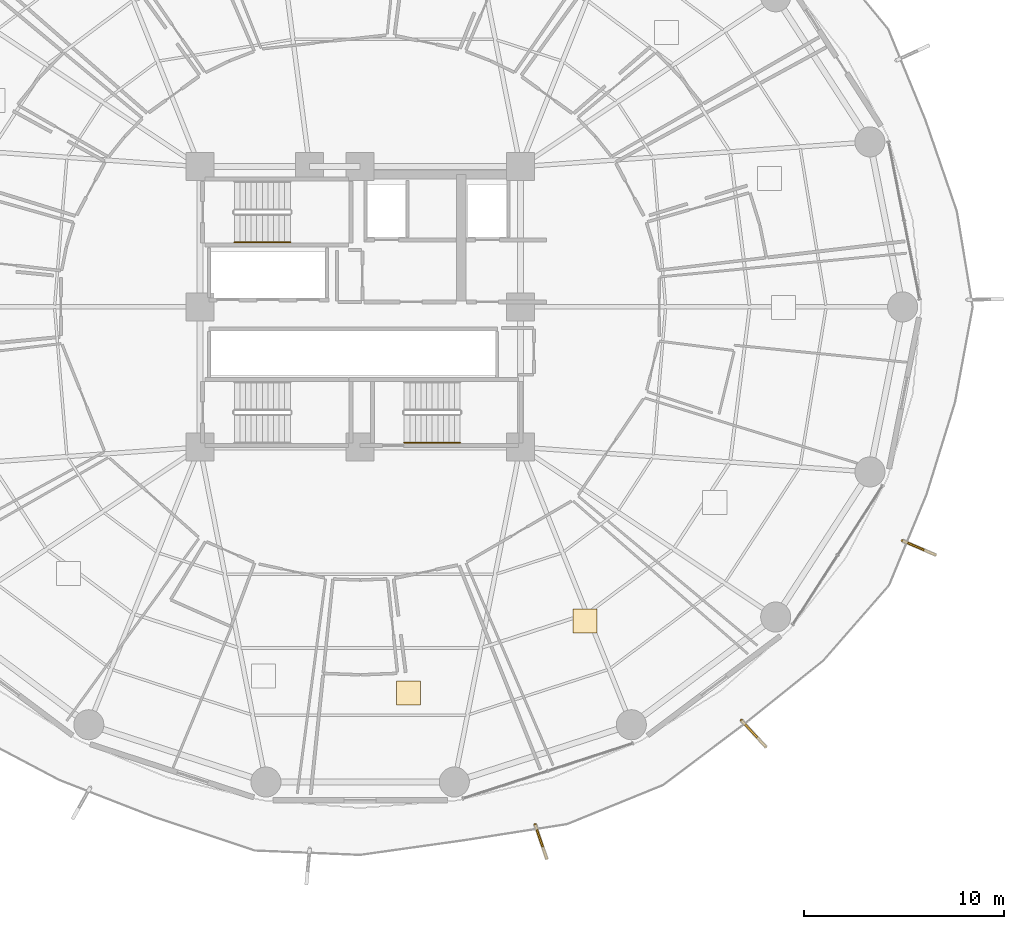
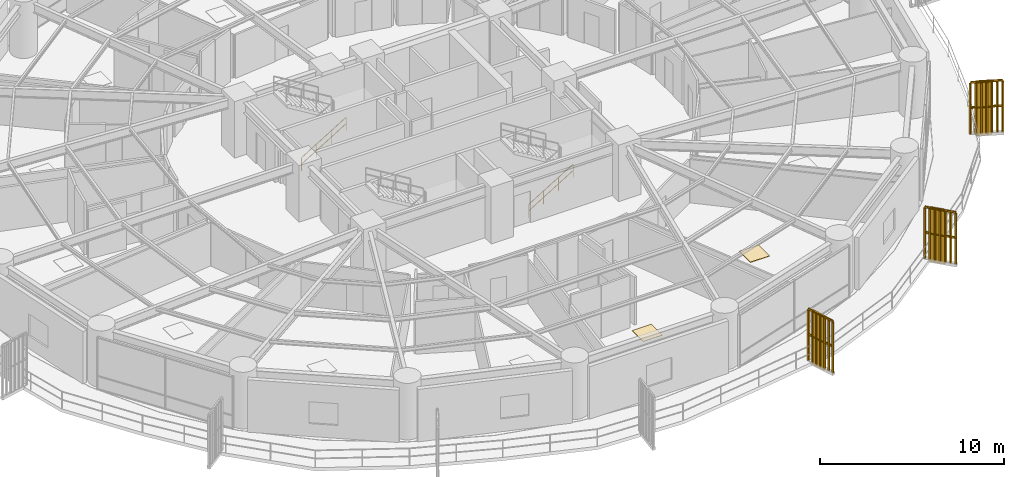
# One storey, part 29 of 32: 5 railings, 3 shading devices, 2 coverings.
"""IFC4 building model written with IfcOpenShell, lengths in metres."""

from ifc_helpers import new_model, si_unit, direction, frame, origin, origin_2d, place, context, subcontext, project, spatial, polyline, rectangle, outline, extrude, source, transform, mapped, material, layer, layer_set, type_object, element, save


model = new_model("IFC4")

# Units and contexts
model_context = context("Model", 3, precision=1e-05, world=origin(), true_north=direction((0.0, 1.0)))
body_context = subcontext(model_context, "Body", "Model", "MODEL_VIEW")
ifc_project = project(units=[si_unit("LENGTHUNIT", "METRE"), si_unit("AREAUNIT", "SQUARE_METRE"), si_unit("VOLUMEUNIT", "CUBIC_METRE"), si_unit("PLANEANGLEUNIT", "RADIAN"), si_unit("MASSUNIT", "GRAM", prefix="KILO")], contexts=[model_context])

# Site, building, storey
site_placement = place(None, origin())
site = spatial("IfcSite", under=ifc_project, at=site_placement, CompositionType="ELEMENT")
building_placement = place(site_placement, origin())
building = spatial("IfcBuilding", under=site, at=building_placement, Name="Kelanora Arch Commons", CompositionType="ELEMENT")
storey_placement = place(building_placement, frame((0.0, 0.0, 48.75)))
storey = spatial("IfcBuildingStorey", under=building, at=storey_placement, Name="L12", CompositionType="ELEMENT", Elevation=48.75)

# Railings
ifc_material_1 = material(Name="Anodised bronze vertical shading fin rib assembly")
railing_type_1 = type_object("IfcRailingType", Name="RAIL-FIN-BRZ", PredefinedType="BALUSTRADE", material=ifc_material_1)
railing_1_placement = place(storey_placement, frame((82.739990234375, 32.15966796875, -0.02001953125)))
element("IfcRailing", 1, at=railing_1_placement, inside=storey, type_object=railing_type_1, Name="Sweeping Bronze Vertical Fin Blade L12-11", PredefinedType="BALUSTRADE", context=body_context, shape_type="SweptSolid", body=[
    extrude(outline(polyline([(0.06982421875, 0.0), (0.034912109375, 0.060546875), (-0.034912109375, 0.060546875), (-0.06982421875, 0.0), (-0.034912109375, -0.060546875), (0.034912109375, -0.060546875), (0.06982421875, 0.0)])), frame((0.0, 0.0, 3.419921875), z_axis=(0.320327319471, -0.947306924075, 0.0), x_axis=(0.947306924075, 0.320327319471, 0.0)), (0.0, 0.0, 1.0), 1.767333984375),
    extrude(outline(polyline([(0.06982421875, 0.0), (0.034912109375, 0.060546875), (-0.034912109375, 0.060546875), (-0.06982421875, 0.0), (-0.034912109375, -0.060546875), (0.034912109375, -0.060546875), (0.06982421875, 0.0)])), frame((0.0, 0.0, 1.7451171875), z_axis=(0.320327319471, -0.947306924075, 0.0), x_axis=(0.947306924075, 0.320327319471, 0.0)), (0.0, 0.0, 1.0), 1.767333984375),
    extrude(outline(polyline([(0.080078125, 0.0), (0.0400390625, 0.0693359375), (-0.0400390625, 0.0693359375), (-0.080078125, 0.0), (-0.0400390625, -0.0693359375), (0.0400390625, -0.0693359375), (0.080078125, 0.0)])), origin(), (0.0, 0.0, 1.0), 3.35009765625),
    extrude(outline(polyline([(0.080078125, 0.0), (0.0400390625, 0.0693359375), (-0.0400390625, 0.0693359375), (-0.080078125, 0.0), (-0.0400390625, -0.0693359375), (0.0400390625, -0.0693359375), (0.080078125, 0.0)])), frame((0.09423828125, -0.279052734375, 0.0)), (0.0, 0.0, 1.0), 3.35009765625),
    extrude(outline(polyline([(0.080078125, 0.0), (0.0400390625, 0.0693359375), (-0.0400390625, 0.0693359375), (-0.080078125, 0.0), (-0.0400390625, -0.0693359375), (0.0400390625, -0.0693359375), (0.080078125, 0.0)])), frame((0.188720703125, -0.55810546875, 0.0)), (0.0, 0.0, 1.0), 3.35009765625),
    extrude(outline(polyline([(0.080078125, 0.0), (0.0400390625, 0.0693359375), (-0.0400390625, 0.0693359375), (-0.080078125, 0.0), (-0.0400390625, -0.0693359375), (0.0400390625, -0.0693359375), (0.080078125, 0.0)])), frame((0.283203125, -0.837158203125, 0.0)), (0.0, 0.0, 1.0), 3.35009765625),
    extrude(outline(polyline([(0.080078125, 0.0), (0.0400390625, 0.0693359375), (-0.0400390625, 0.0693359375), (-0.080078125, 0.0), (-0.0400390625, -0.0693359375), (0.0400390625, -0.0693359375), (0.080078125, 0.0)])), frame((0.37744140625, -1.1162109375, 0.0)), (0.0, 0.0, 1.0), 3.35009765625),
    extrude(outline(polyline([(0.080078125, 0.0), (0.0400390625, 0.0693359375), (-0.0400390625, 0.0693359375), (-0.080078125, 0.0), (-0.0400390625, -0.0693359375), (0.0400390625, -0.0693359375), (0.080078125, 0.0)])), frame((0.4716796875, -1.395263671875, 0.0)), (0.0, 0.0, 1.0), 3.35009765625),
    extrude(outline(polyline([(0.080078125, 0.0), (0.0400390625, 0.0693359375), (-0.0400390625, 0.0693359375), (-0.080078125, 0.0), (-0.0400390625, -0.0693359375), (0.0400390625, -0.0693359375), (0.080078125, 0.0)])), frame((0.566162109375, -1.67431640625, 0.0)), (0.0, 0.0, 1.0), 3.35009765625),
])
railing_2_placement = place(storey_placement, frame((93.0380859375, 37.359130859375, -0.02001953125)))
element("IfcRailing", 2, at=railing_2_placement, inside=storey, type_object=railing_type_1, Name="Sweeping Bronze Vertical Fin Blade L12-12", PredefinedType="BALUSTRADE", context=body_context, shape_type="SweptSolid", body=[
    extrude(outline(polyline([(0.06982421875, 0.0), (0.034912109375, 0.060546875), (-0.034912109375, 0.060546875), (-0.06982421875, 0.0), (-0.034912109375, -0.060546875), (0.034912109375, -0.060546875), (0.06982421875, 0.0)])), frame((0.0, 0.0, 3.419921875), z_axis=(0.67801044445, -0.735052268357, 0.0), x_axis=(0.735052268357, 0.67801044445, 0.0)), (0.0, 0.0, 1.0), 1.767578125),
    extrude(outline(polyline([(0.06982421875, 0.0), (0.034912109375, 0.060546875), (-0.034912109375, 0.060546875), (-0.06982421875, 0.0), (-0.034912109375, -0.060546875), (0.034912109375, -0.060546875), (0.06982421875, 0.0)])), frame((0.0, 0.0, 1.7451171875), z_axis=(0.67801044445, -0.735052268357, 0.0), x_axis=(0.735052268357, 0.67801044445, 0.0)), (0.0, 0.0, 1.0), 1.767578125),
    extrude(outline(polyline([(0.080078125, 0.0), (0.0400390625, 0.0693359375), (-0.0400390625, 0.0693359375), (-0.080078125, 0.0), (-0.0400390625, -0.0693359375), (0.0400390625, -0.0693359375), (0.080078125, 0.0)])), origin(), (0.0, 0.0, 1.0), 3.35009765625),
    extrude(outline(polyline([(0.080078125, 0.0), (0.0400390625, 0.0693359375), (-0.0400390625, 0.0693359375), (-0.080078125, 0.0), (-0.0400390625, -0.0693359375), (0.0400390625, -0.0693359375), (0.080078125, 0.0)])), frame((0.19970703125, -0.216552734375, 0.0)), (0.0, 0.0, 1.0), 3.35009765625),
    extrude(outline(polyline([(0.080078125, 0.0), (0.0400390625, 0.0693359375), (-0.0400390625, 0.0693359375), (-0.080078125, 0.0), (-0.0400390625, -0.0693359375), (0.0400390625, -0.0693359375), (0.080078125, 0.0)])), frame((0.3994140625, -0.43310546875, 0.0)), (0.0, 0.0, 1.0), 3.35009765625),
    extrude(outline(polyline([(0.080078125, 0.0), (0.0400390625, 0.0693359375), (-0.0400390625, 0.0693359375), (-0.080078125, 0.0), (-0.0400390625, -0.0693359375), (0.0400390625, -0.0693359375), (0.080078125, 0.0)])), frame((0.59912109375, -0.649658203125, 0.0)), (0.0, 0.0, 1.0), 3.35009765625),
    extrude(outline(polyline([(0.080078125, 0.0), (0.0400390625, 0.0693359375), (-0.0400390625, 0.0693359375), (-0.080078125, 0.0), (-0.0400390625, -0.0693359375), (0.0400390625, -0.0693359375), (0.080078125, 0.0)])), frame((0.799072265625, -0.8662109375, 0.0)), (0.0, 0.0, 1.0), 3.35009765625),
    extrude(outline(polyline([(0.080078125, 0.0), (0.0400390625, 0.0693359375), (-0.0400390625, 0.0693359375), (-0.080078125, 0.0), (-0.0400390625, -0.0693359375), (0.0400390625, -0.0693359375), (0.080078125, 0.0)])), frame((0.998779296875, -1.082763671875, 0.0)), (0.0, 0.0, 1.0), 3.35009765625),
    extrude(outline(polyline([(0.080078125, 0.0), (0.0400390625, 0.0693359375), (-0.0400390625, 0.0693359375), (-0.080078125, 0.0), (-0.0400390625, -0.0693359375), (0.0400390625, -0.0693359375), (0.080078125, 0.0)])), frame((1.198486328125, -1.29931640625, 0.0)), (0.0, 0.0, 1.0), 3.35009765625),
])
railing_3_placement = place(storey_placement, frame((101.0771484375, 46.33154296875, -0.02001953125)))
element("IfcRailing", 3, at=railing_3_placement, inside=storey, type_object=railing_type_1, Name="Sweeping Bronze Vertical Fin Blade L12-13", PredefinedType="BALUSTRADE", context=body_context, shape_type="SweptSolid", body=[
    extrude(outline(polyline([(0.06982421875, 0.0), (0.034912109375, 0.060546875), (-0.034912109375, 0.060546875), (-0.06982421875, 0.0), (-0.034912109375, -0.060546875), (0.034912109375, -0.060546875), (0.06982421875, 0.0)])), frame((0.0, 0.0, 3.419921875), z_axis=(0.918350056933, -0.39576909042, 0.0), x_axis=(0.39576909042, 0.918350056933, 0.0)), (0.0, 0.0, 1.0), 1.767333984375),
    extrude(outline(polyline([(0.06982421875, 0.0), (0.034912109375, 0.060546875), (-0.034912109375, 0.060546875), (-0.06982421875, 0.0), (-0.034912109375, -0.060546875), (0.034912109375, -0.060546875), (0.06982421875, 0.0)])), frame((0.0, 0.0, 1.7451171875), z_axis=(0.918350056933, -0.39576909042, 0.0), x_axis=(0.39576909042, 0.918350056933, 0.0)), (0.0, 0.0, 1.0), 1.767333984375),
    extrude(outline(polyline([(0.080078125, 0.0), (0.0400390625, 0.0693359375), (-0.0400390625, 0.0693359375), (-0.080078125, 0.0), (-0.0400390625, -0.0693359375), (0.0400390625, -0.0693359375), (0.080078125, 0.0)])), origin(), (0.0, 0.0, 1.0), 3.35009765625),
    extrude(outline(polyline([(0.080078125, 0.0), (0.0400390625, 0.0693359375), (-0.0400390625, 0.0693359375), (-0.080078125, 0.0), (-0.0400390625, -0.0693359375), (0.0400390625, -0.0693359375), (0.080078125, 0.0)])), frame((0.2705078125, -0.11669921875, 0.0)), (0.0, 0.0, 1.0), 3.35009765625),
    extrude(outline(polyline([(0.080078125, 0.0), (0.0400390625, 0.0693359375), (-0.0400390625, 0.0693359375), (-0.080078125, 0.0), (-0.0400390625, -0.0693359375), (0.0400390625, -0.0693359375), (0.080078125, 0.0)])), frame((0.541015625, -0.233154296875, 0.0)), (0.0, 0.0, 1.0), 3.35009765625),
    extrude(outline(polyline([(0.080078125, 0.0), (0.0400390625, 0.0693359375), (-0.0400390625, 0.0693359375), (-0.080078125, 0.0), (-0.0400390625, -0.0693359375), (0.0400390625, -0.0693359375), (0.080078125, 0.0)])), frame((0.8115234375, -0.349609375, 0.0)), (0.0, 0.0, 1.0), 3.35009765625),
    extrude(outline(polyline([(0.080078125, 0.0), (0.0400390625, 0.0693359375), (-0.0400390625, 0.0693359375), (-0.080078125, 0.0), (-0.0400390625, -0.0693359375), (0.0400390625, -0.0693359375), (0.080078125, 0.0)])), frame((1.08203125, -0.46630859375, 0.0)), (0.0, 0.0, 1.0), 3.35009765625),
    extrude(outline(polyline([(0.080078125, 0.0), (0.0400390625, 0.0693359375), (-0.0400390625, 0.0693359375), (-0.080078125, 0.0), (-0.0400390625, -0.0693359375), (0.0400390625, -0.0693359375), (0.080078125, 0.0)])), frame((1.3525390625, -0.5830078125, 0.0)), (0.0, 0.0, 1.0), 3.35009765625),
    extrude(outline(polyline([(0.080078125, 0.0), (0.0400390625, 0.0693359375), (-0.0400390625, 0.0693359375), (-0.080078125, 0.0), (-0.0400390625, -0.0693359375), (0.0400390625, -0.0693359375), (0.080078125, 0.0)])), frame((1.623046875, -0.699462890625, 0.0)), (0.0, 0.0, 1.0), 3.35009765625),
])
ifc_material_2 = material(Name="Brushed stainless steel stair handrail", Category="steel")
railing_type_2 = type_object("IfcRailingType", Name="RAIL-STAIR-HND", PredefinedType="HANDRAIL", material=ifc_material_2)
railing_4_placement = place(storey_placement, frame((67.719970703125, 61.22998046875, 0.17041015625)))
element("IfcRailing", 4, at=railing_4_placement, inside=storey, type_object=railing_type_2, Name="L12 ST-T1 stair handrail 1", PredefinedType="HANDRAIL", context=body_context, shape_type="SweptSolid", body=[
    extrude(outline(polyline([(0.02392578125, 0.0), (0.011962890625, 0.020751953125), (-0.011962890625, 0.020751953125), (-0.02392578125, 0.0), (-0.011962890625, -0.020751953125), (0.011962890625, -0.020751953125), (0.02392578125, 0.0)])), frame((0.0, 0.0, 0.8759765625), z_axis=(0.854169791009, 0.0, 0.51999420009), x_axis=(0.0, 1.0, 0.0)), (0.0, 0.0, 1.0), 3.278076171875),
    extrude(outline(polyline([(0.02392578125, 0.0), (0.011962890625, 0.020751953125), (-0.011962890625, 0.020751953125), (-0.02392578125, 0.0), (-0.011962890625, -0.020751953125), (0.011962890625, -0.020751953125), (0.02392578125, 0.0)])), frame((0.0, 0.0, 0.449951171875), z_axis=(0.854169791009, 0.0, 0.51999420009), x_axis=(0.0, 1.0, 0.0)), (0.0, 0.0, 1.0), 3.278076171875),
    extrude(outline(polyline([(0.02099609375, 0.0), (0.010498046875, 0.01806640625), (-0.010498046875, 0.01806640625), (-0.02099609375, 0.0), (-0.010498046875, -0.01806640625), (0.010498046875, -0.01806640625), (0.02099609375, 0.0)])), origin(), (0.0, 0.0, 1.0), 0.851806640625),
    extrude(outline(polyline([(0.02099609375, 0.0), (0.010498046875, 0.01806640625), (-0.010498046875, 0.01806640625), (-0.02099609375, 0.0), (-0.010498046875, -0.01806640625), (0.010498046875, -0.01806640625), (0.02099609375, 0.0)])), frame((0.933349609375, 0.0, 0.568115234375)), (0.0, 0.0, 1.0), 0.851806640625),
    extrude(outline(polyline([(0.02099609375, 0.0), (0.010498046875, 0.01806640625), (-0.010498046875, 0.01806640625), (-0.02099609375, 0.0), (-0.010498046875, -0.01806640625), (0.010498046875, -0.01806640625), (0.02099609375, 0.0)])), frame((1.86669921875, 0.0, 1.136474609375)), (0.0, 0.0, 1.0), 0.851806640625),
    extrude(outline(polyline([(0.02099609375, 0.0), (0.010498046875, 0.01806640625), (-0.010498046875, 0.01806640625), (-0.02099609375, 0.0), (-0.010498046875, -0.01806640625), (0.010498046875, -0.01806640625), (0.02099609375, 0.0)])), frame((2.800048828125, 0.0, 1.70458984375)), (0.0, 0.0, 1.0), 0.851806640625),
])
railing_5_placement = place(storey_placement, frame((76.199951171875, 51.22998046875, 0.17041015625)))
element("IfcRailing", 5, at=railing_5_placement, inside=storey, type_object=railing_type_2, Name="L12 ST-T2 stair handrail 1", PredefinedType="HANDRAIL", context=body_context, shape_type="SweptSolid", body=[
    extrude(outline(polyline([(0.02392578125, 0.0), (0.011962890625, 0.020751953125), (-0.011962890625, 0.020751953125), (-0.02392578125, 0.0), (-0.011962890625, -0.020751953125), (0.011962890625, -0.020751953125), (0.02392578125, 0.0)])), frame((0.0, 0.0, 0.8759765625), z_axis=(0.854169791009, 0.0, 0.51999420009), x_axis=(0.0, 1.0, 0.0)), (0.0, 0.0, 1.0), 3.278076171875),
    extrude(outline(polyline([(0.02392578125, 0.0), (0.011962890625, 0.020751953125), (-0.011962890625, 0.020751953125), (-0.02392578125, 0.0), (-0.011962890625, -0.020751953125), (0.011962890625, -0.020751953125), (0.02392578125, 0.0)])), frame((0.0, 0.0, 0.449951171875), z_axis=(0.854169791009, 0.0, 0.51999420009), x_axis=(0.0, 1.0, 0.0)), (0.0, 0.0, 1.0), 3.278076171875),
    extrude(outline(polyline([(0.02099609375, 0.0), (0.010498046875, 0.01806640625), (-0.010498046875, 0.01806640625), (-0.02099609375, 0.0), (-0.010498046875, -0.01806640625), (0.010498046875, -0.01806640625), (0.02099609375, 0.0)])), origin(), (0.0, 0.0, 1.0), 0.851806640625),
    extrude(outline(polyline([(0.02099609375, 0.0), (0.010498046875, 0.01806640625), (-0.010498046875, 0.01806640625), (-0.02099609375, 0.0), (-0.010498046875, -0.01806640625), (0.010498046875, -0.01806640625), (0.02099609375, 0.0)])), frame((0.933349609375, 0.0, 0.568115234375)), (0.0, 0.0, 1.0), 0.851806640625),
    extrude(outline(polyline([(0.02099609375, 0.0), (0.010498046875, 0.01806640625), (-0.010498046875, 0.01806640625), (-0.02099609375, 0.0), (-0.010498046875, -0.01806640625), (0.010498046875, -0.01806640625), (0.02099609375, 0.0)])), frame((1.86669921875, 0.0, 1.136474609375)), (0.0, 0.0, 1.0), 0.851806640625),
    extrude(outline(polyline([(0.02099609375, 0.0), (0.010498046875, 0.01806640625), (-0.010498046875, 0.01806640625), (-0.02099609375, 0.0), (-0.010498046875, -0.01806640625), (0.010498046875, -0.01806640625), (0.02099609375, 0.0)])), frame((2.800048828125, 0.0, 1.70458984375)), (0.0, 0.0, 1.0), 0.851806640625),
])

# Shading devices
ifc_material_3 = material(Name="Terracotta ceramic-clad extruded aluminium fin", Category="masonry")
shading_device_type = type_object("IfcShadingDeviceType", Name="SHD-FIN-FLARE", PredefinedType="USERDEFINED", material=ifc_material_3)
shared_shape_1 = source(origin(), body_context, "Body", "SweptSolid", [
    extrude(rectangle(XDim=0.8798828125, YDim=0.090087890625, at=origin_2d()), origin(), (0.0, 0.0, 1.0), 3.610107421875),
])
for number, where, z_axis, x_axis, name in (
    (6, (82.970703125, 31.477783203125, -0.14013671875), (0.0, 0.0, 1.0), (0.320447666323, -0.947266220842, 0.0), "Sweeping Terracotta Fin L12-11"),
    (7, (93.5263671875, 36.829833984375, -0.14013671875), (0.0, 0.0, 1.0), (0.678031392746, -0.735032945147, 0.0), "Sweeping Terracotta Fin L12-12"),
    (8, (101.73828125, 46.04638671875, -0.14013671875), (0.0, 0.0, 1.0), (0.918377331641, -0.395705795671, 0.0), "Sweeping Terracotta Fin L12-13"),
):
    element("IfcShadingDevice", number, at=place(storey_placement, frame(where, z_axis=z_axis, x_axis=x_axis)), inside=storey, type_object=shading_device_type, Name=name, ObjectType="FIN", PredefinedType="USERDEFINED", context=body_context, shape_type="MappedRepresentation", body=[
        mapped(shared_shape_1, transform((0.0, 0.0, 0.0), scale=1.0)),
    ])

# Coverings
ifc_material_4 = material(Name="Polished local granite terrazzo flooring", Category="masonry")
ifc_layer = layer(ifc_material_4, 0.030029296875)
ifc_layer_set = layer_set([ifc_layer], Name="Polished local granite terrazzo flooring")
covering_type = type_object("IfcCoveringType", Name="COV-FLR-TER", PredefinedType="FLOORING", material=ifc_layer_set)
shared_shape_2 = source(origin(), body_context, "Body", "SweptSolid", [
    extrude(rectangle(XDim=1.199951171875, YDim=1.199951171875, at=origin_2d()), origin(), (0.0, 0.0, 1.0), 0.030029296875),
])
for number, where, z_axis, x_axis, name in (
    (9, (76.42041015625, 38.73681640625, 0.0), (0.0, 0.0, 1.0), (1.0, 0.0, 0.0), "Co-Living Studio L12-11 Terrazzo Finish"),
    (10, (85.229736328125, 42.3271484375, 0.0), (0.0, 0.0, 1.0), (1.0, 0.0, 0.0), "Quiet Seminar Study Room L12-12 Terrazzo Finish"),
):
    element("IfcCovering", number, at=place(storey_placement, frame(where, z_axis=z_axis, x_axis=x_axis)), inside=storey, type_object=covering_type, Name=name, PredefinedType="FLOORING", context=body_context, shape_type="MappedRepresentation", body=[
        mapped(shared_shape_2, transform((0.0, 0.0, 0.0), scale=1.0)),
    ])

save(model, "model.ifc")
